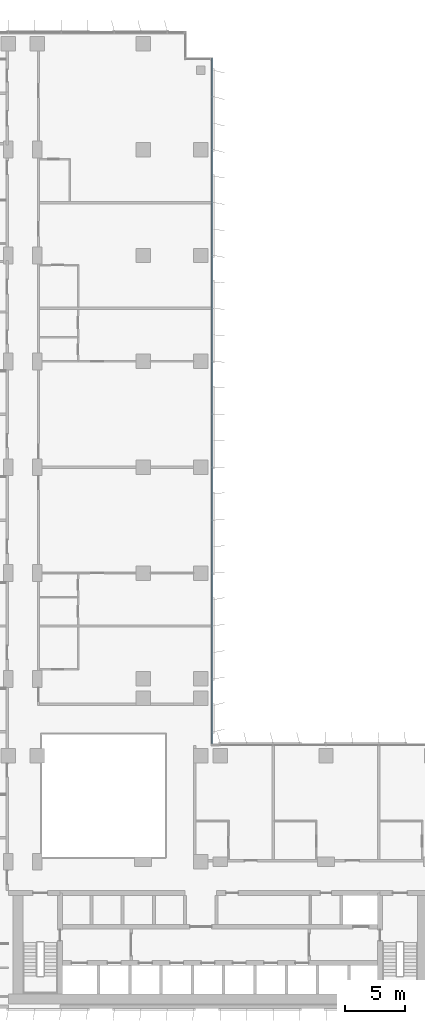
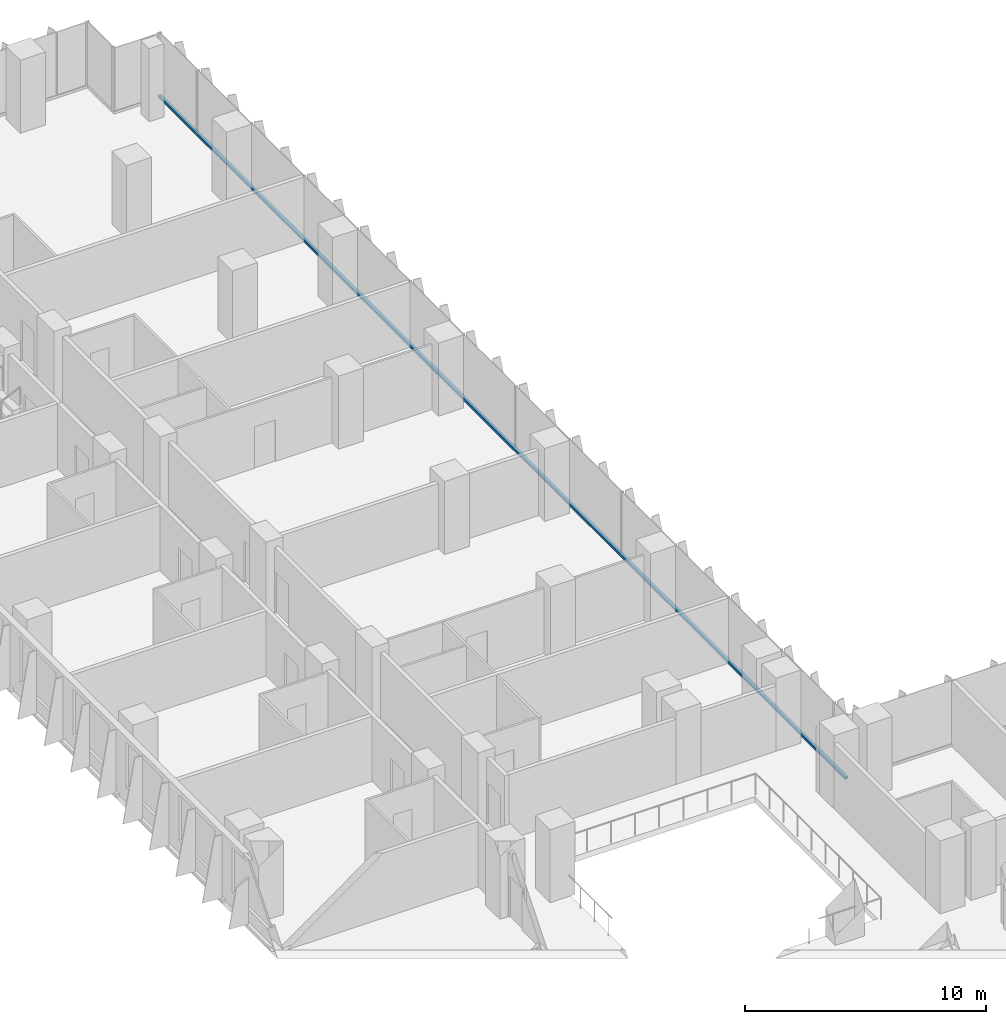
# One storey, part 6 of 22: 1 member, 1 element without a shape of its own.
"""IFC4 building model written with IfcOpenShell, lengths in metres."""

from ifc_helpers import new_model, si_unit, direction, frame, origin, origin_2d, place, context, subcontext, project, spatial, rectangle, extrude, material, material_profile, profile_set, type_object, element, aggregate, save


model = new_model("IFC4")

# Units and contexts
model_context = context("Model", 3, precision=1e-05, world=origin(), true_north=direction((0.0, 1.0)))
body_context = subcontext(model_context, "Body", "Model", "MODEL_VIEW")
ifc_project = project(units=[si_unit("LENGTHUNIT", "METRE"), si_unit("AREAUNIT", "SQUARE_METRE"), si_unit("VOLUMEUNIT", "CUBIC_METRE"), si_unit("PLANEANGLEUNIT", "RADIAN"), si_unit("MASSUNIT", "GRAM", prefix="KILO")], contexts=[model_context])

# Site, building, storey
site_placement = place(None, origin())
site = spatial("IfcSite", under=ifc_project, at=site_placement, CompositionType="ELEMENT")
building_placement = place(site_placement, origin())
building = spatial("IfcBuilding", under=site, at=building_placement, Name="Kemantara Hotel Tower", CompositionType="ELEMENT")
storey_placement = place(building_placement, frame((0.0, 0.0, 98.199951171875)))
storey = spatial("IfcBuildingStorey", under=building, at=storey_placement, Name="L23", CompositionType="ELEMENT", Elevation=98.199951171875)

# Curtain wall, member
ifc_material_1 = material(Name="Low-E tinted double insulated glass 36 mm", Category="glass")
curtain_wall_type = type_object("IfcCurtainWallType", Name="TOWER CURTAIN WALL, FRONT FACES", PredefinedType="USERDEFINED", material=ifc_material_1)
curtain_wall_placement = place(storey_placement, origin())
curtain_wall = element("IfcCurtainWall", 1, at=curtain_wall_placement, inside=storey, type_object=curtain_wall_type, Name="CW4 L23 T2-R14-1", ObjectType="TOWER CURTAIN WALL, FRONT FACES", PredefinedType="USERDEFINED")
ifc_material_2 = material(Name="Aluminium 6063-T6 bronze anodised", Category="aluminium")
ifc_material_profile = material_profile(ifc_material_2, rectangle(XDim=0.14990234375, YDim=0.1201171875, at=origin_2d()), Name="TOWER CURTAIN WALL, FRONT FACES TRANSOM")
ifc_profile_set = profile_set([ifc_material_profile], Name="Aluminium 6063-T6 bronze anodised")
member_type = type_object("IfcMemberType", Name="TOWER CURTAIN WALL, FRONT FACES TRANSOM", PredefinedType="USERDEFINED", material=ifc_profile_set)
member_placement = place(storey_placement, frame((26.72509765625, 22.0, 0.06005859375), z_axis=(0.0, 1.0, 0.0), x_axis=(-1.0, 0.0, 0.0)))
member = element("IfcMember", 2, at=member_placement, type_object=member_type, Name="CW4 sill transom T2-R14-1", ObjectType="TRANSOM", PredefinedType="USERDEFINED", context=body_context, shape_type="SweptSolid", body=[
    extrude(rectangle(XDim=0.14990234375, YDim=0.1201171875, at=origin_2d()), origin(), (0.0, 0.0, 1.0), 57.0),
])
aggregate(curtain_wall, [member])

save(model, "model.ifc")
